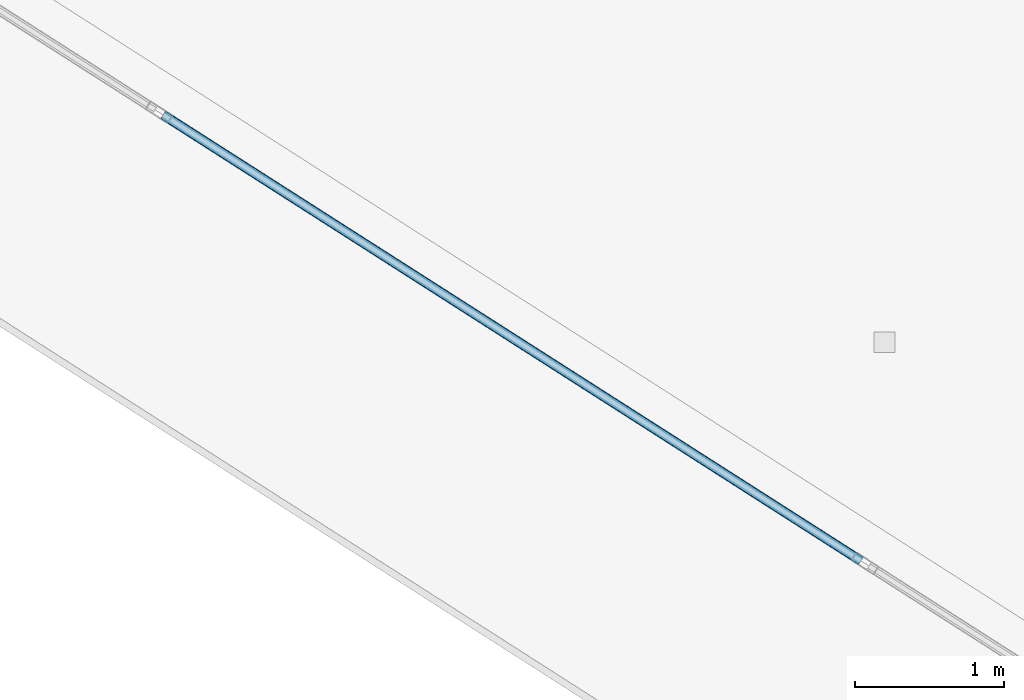
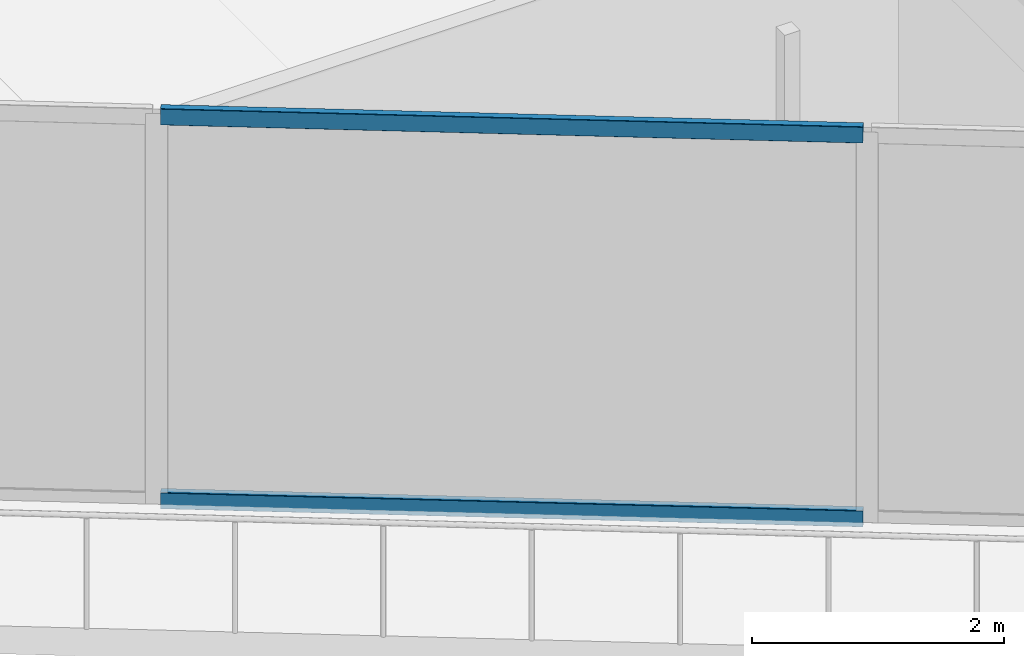
# One storey, part 6 of 37: 2 members, 1 element without a shape of its own.
"""IFC4 building model written with IfcOpenShell, lengths in metres."""

from ifc_helpers import new_model, si_unit, direction, frame, origin, origin_2d, place, context, subcontext, project, spatial, hollow_rectangle, extrude, material, layer, layer_set, material_profile, profile_set, type_object, element, aggregate, save


model = new_model("IFC4")

# Units and contexts
model_context = context("Model", 3, precision=1e-05, world=origin(), true_north=direction((0.0, 1.0)))
body_context = subcontext(model_context, "Body", "Model", "MODEL_VIEW")
ifc_project = project(units=[si_unit("LENGTHUNIT", "METRE"), si_unit("AREAUNIT", "SQUARE_METRE"), si_unit("VOLUMEUNIT", "CUBIC_METRE"), si_unit("PLANEANGLEUNIT", "RADIAN"), si_unit("MASSUNIT", "GRAM", prefix="KILO")], contexts=[model_context])

# Site, building, storey
site_placement = place(None, origin())
site = spatial("IfcSite", under=ifc_project, at=site_placement, CompositionType="ELEMENT")
building_placement = place(site_placement, origin())
building = spatial("IfcBuilding", under=site, at=building_placement, Name="Qorvath Tower", CompositionType="ELEMENT")
storey_placement = place(building_placement, frame((0.0, 0.0, 196.949951171875)))
storey = spatial("IfcBuildingStorey", under=building, at=storey_placement, Name="L45", CompositionType="ELEMENT", Elevation=196.949951171875)

# Curtain wall, members
ifc_material_1 = material(Name="Anodised aluminium and triple low-E glass", Category="aluminium")
ifc_layer = layer(ifc_material_1, 0.179931640625)
ifc_layer_set = layer_set([ifc_layer], Name="CW-SYS-3")
curtain_wall_type = type_object("IfcCurtainWallType", Name="CW-SYS-3", PredefinedType="NOTDEFINED", material=ifc_layer_set)
curtain_wall_placement = place(storey_placement, origin())
curtain_wall = element("IfcCurtainWall", 1, at=curtain_wall_placement, inside=storey, type_object=curtain_wall_type, Name="Curtain Wall CW-3 CW-T-L45-2.1", PredefinedType="NOTDEFINED")
ifc_material_2 = material(Name="Anodised aluminium 6063-T6", Category="aluminium")
ifc_material_profile = material_profile(ifc_material_2, hollow_rectangle(XDim=0.06494140625, YDim=0.159912109375, WallThickness=0.00341796875, InnerFilletRadius=0.00341796875, OuterFilletRadius=0.007080078125, at=origin_2d()), Name="CWT 160x65")
ifc_profile_set = profile_set([ifc_material_profile], Name="Anodised aluminium 6063-T6")
member_type = type_object("IfcMemberType", Name="CWT-160", PredefinedType="USERDEFINED", material=ifc_profile_set)
member_1_placement = place(storey_placement, frame((-45.23046875, -9.563720703125, 0.032470703125), z_axis=(0.842606844645, -0.538529205667, 0.0), x_axis=(0.538529205667, 0.842606844645, 0.0)))
member_1 = element("IfcMember", 2, at=member_1_placement, type_object=member_type, Name="CW-3 transom 3.1", ObjectType="TRANSOM", PredefinedType="USERDEFINED", context=body_context, shape_type="SweptSolid", body=[
    extrude(hollow_rectangle(XDim=0.06494140625, YDim=0.159912109375, WallThickness=0.00341796875, InnerFilletRadius=0.00341796875, OuterFilletRadius=0.007080078125, at=origin_2d()), origin(), (0.0, 0.0, 1.0), 5.5751953125),
])
member_2_placement = place(storey_placement, frame((-45.23046875, -9.563720703125, 3.74755859375), z_axis=(0.842606844645, -0.538529205667, 0.0), x_axis=(0.538529205667, 0.842606844645, 0.0)))
member_2 = element("IfcMember", 3, at=member_2_placement, type_object=member_type, Name="CW-3 transom 3.2", ObjectType="TRANSOM", PredefinedType="USERDEFINED", context=body_context, shape_type="SweptSolid", body=[
    extrude(hollow_rectangle(XDim=0.06494140625, YDim=0.159912109375, WallThickness=0.00341796875, InnerFilletRadius=0.00341796875, OuterFilletRadius=0.007080078125, at=origin_2d()), origin(), (0.0, 0.0, 1.0), 5.5751953125),
])
aggregate(curtain_wall, [member_1, member_2])

save(model, "model.ifc")
